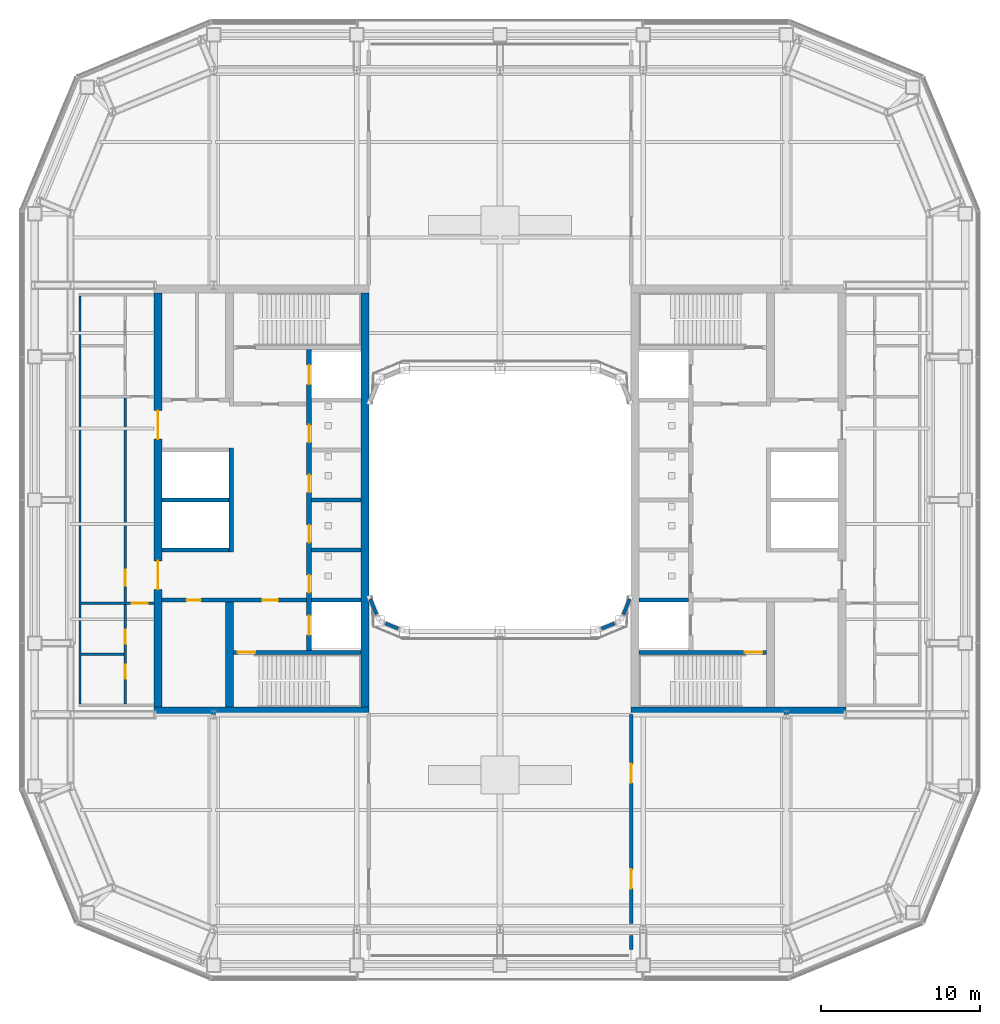
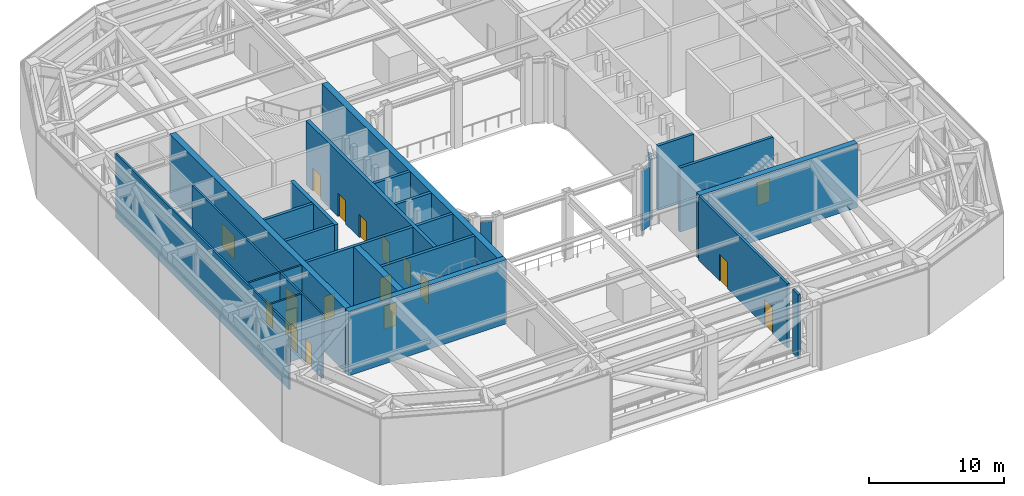
# One storey, part 11 of 22: 27 walls, 18 doors, 18 openings.
"""IFC4 building model written with IfcOpenShell, lengths in metres."""

from ifc_helpers import new_model, si_unit, direction, frame, frame_2d, origin, place, context, subcontext, project, spatial, rectangle, extrude, material, layer, layer_set, type_object, element, fill, save


model = new_model("IFC4")

# Units and contexts
model_context = context("Model", 3, precision=1e-05, world=origin(), true_north=direction((0.0, 1.0)))
body_context = subcontext(model_context, "Body", "Model", "MODEL_VIEW")
ifc_project = project(units=[si_unit("LENGTHUNIT", "METRE"), si_unit("AREAUNIT", "SQUARE_METRE"), si_unit("VOLUMEUNIT", "CUBIC_METRE"), si_unit("PLANEANGLEUNIT", "RADIAN"), si_unit("MASSUNIT", "GRAM", prefix="KILO")], contexts=[model_context])

# Site, building, storey
site_placement = place(None, origin())
site = spatial("IfcSite", under=ifc_project, at=site_placement, CompositionType="ELEMENT")
building_placement = place(site_placement, origin())
building = spatial("IfcBuilding", under=site, at=building_placement, Name="Siwar Civic Tower", CompositionType="ELEMENT")
storey_placement = place(building_placement, frame((0.0, 0.0, 181.199951171875)))
storey = spatial("IfcBuildingStorey", under=building, at=storey_placement, Name="L39", CompositionType="ELEMENT", Elevation=181.199951171875)

# Wall
ifc_material_1 = material(Name="Gypsum board on steel studs", Category="steel")
ifc_layer_1 = layer(ifc_material_1, 0.14990234375)
ifc_layer_set_1 = layer_set([ifc_layer_1], Name="Gypsum board on steel studs")
wall_type_1 = type_object("IfcWallType", Name="COMPARTMENT PARTITION 150 EI 60", PredefinedType="PARTITIONING", material=ifc_layer_set_1)
wall_1_placement = place(storey_placement, frame((-26.324951171875, -9.699951171875, 0.0), z_axis=(0.0, 0.0, 1.0), x_axis=(1.0, 0.0, 0.0)))
element("IfcWall", 1, at=wall_1_placement, inside=storey, type_object=wall_type_1, Name="L39/wall/P03", PredefinedType="PARTITIONING", context=body_context, shape_type="SweptSolid", body=[
    extrude(rectangle(XDim=2.699951171875, YDim=0.14990234375, at=frame_2d((1.35009765625, 0.0))), origin(), (0.0, 0.0, 1.0), 5.800048828125),
])

# Wall, opening, door
wall_2_placement = place(storey_placement, frame((-26.324951171875, -6.5, 0.0), z_axis=(0.0, 0.0, 1.0), x_axis=(1.0, 0.0, 0.0)))
wall_2 = element("IfcWall", 2, at=wall_2_placement, inside=storey, type_object=wall_type_1, Name="L39/wall/P05", PredefinedType="PARTITIONING", context=body_context, shape_type="SweptSolid", body=[
    extrude(rectangle(XDim=4.574951171875, YDim=0.14990234375, at=frame_2d((2.28759765625, 0.0))), origin(), (0.0, 0.0, 1.0), 5.800048828125),
])
opening_1_placement = place(wall_2_placement, frame((3.175048828125, 0.0, 0.0)))
opening_1 = element("IfcOpeningElement", 3, at=opening_1_placement, cuts=wall_2, Name="Opening D1", PredefinedType="OPENING", context=body_context, shape_type="SweptSolid", body=[
    extrude(rectangle(XDim=1.0, YDim=2.10009765625, at=frame_2d((0.5, 1.050048828125))), frame((0.0, 0.0849609375, 0.0), z_axis=(0.0, -1.0, 0.0), x_axis=(1.0, 0.0, 0.0)), (0.0, 0.0, 1.0), 0.169921875),
])
ifc_material_2 = material(Name="Timber, painted", Category="wood")
door_type_1 = type_object("IfcDoorType", Name="DOOR 1000 X 2100 FD30", OperationType="SINGLE_SWING_LEFT", PredefinedType="DOOR", material=ifc_material_2)
door_1_placement = place(opening_1_placement, origin())
door_1 = element("IfcDoor", 4, at=door_1_placement, inside=storey, type_object=door_type_1, Name="L39-D09", OperationType="SINGLE_SWING_LEFT", OverallHeight=2.10009765625, OverallWidth=1.0, PredefinedType="DOOR", context=body_context, shape_type="SweptSolid", body=[
    extrude(rectangle(XDim=1.0, YDim=2.10009765625, at=frame_2d((0.5, 1.050048828125))), frame((0.0, 0.02490234375, 0.0), z_axis=(0.0, -1.0, 0.0), x_axis=(1.0, 0.0, 0.0)), (0.0, 0.0, 1.0), 0.050048828125),
])
fill(opening_1, door_1)

# Wall
wall_3_placement = place(storey_placement, frame((-26.39990234375, -12.824951171875, 0.0), z_axis=(0.0, 0.0, 1.0), x_axis=(0.0, 1.0, 0.0)))
element("IfcWall", 5, at=wall_3_placement, inside=storey, type_object=wall_type_1, Name="L39/wall/P13", PredefinedType="PARTITIONING", context=body_context, shape_type="SweptSolid", body=[
    extrude(rectangle(XDim=25.64990234375, YDim=0.14990234375, at=frame_2d((12.824951171875, 0.0))), origin(), (0.0, 0.0, 1.0), 5.800048828125),
])

# Wall, openings, doors
wall_4_placement = place(storey_placement, frame((-23.550048828125, -12.824951171875, 0.0), z_axis=(0.0, 0.0, 1.0), x_axis=(0.0, 1.0, 0.0)))
wall_4 = element("IfcWall", 6, at=wall_4_placement, inside=storey, type_object=wall_type_1, Name="L39/wall/P14", PredefinedType="PARTITIONING", context=body_context, shape_type="SweptSolid", body=[
    extrude(rectangle(XDim=6.25, YDim=0.14990234375, at=frame_2d((3.125, 0.0))), origin(), (0.0, 0.0, 1.0), 5.800048828125),
])
opening_2_placement = place(wall_4_placement, frame((1.574951171875, 0.0, 0.0)))
opening_2 = element("IfcOpeningElement", 7, at=opening_2_placement, cuts=wall_4, Name="Opening D4", PredefinedType="OPENING", context=body_context, shape_type="SweptSolid", body=[
    extrude(rectangle(XDim=0.89990234375, YDim=2.10009765625, at=frame_2d((0.449951171875, 1.050048828125))), frame((0.0, 0.0849609375, 0.0), z_axis=(0.0, -1.0, 0.0), x_axis=(1.0, 0.0, 0.0)), (0.0, 0.0, 1.0), 0.169921875),
])
opening_3_placement = place(wall_4_placement, frame((3.77490234375, 0.0, 0.0)))
opening_3 = element("IfcOpeningElement", 8, at=opening_3_placement, cuts=wall_4, Name="Opening D4", PredefinedType="OPENING", context=body_context, shape_type="SweptSolid", body=[
    extrude(rectangle(XDim=0.89990234375, YDim=2.10009765625, at=frame_2d((0.449951171875, 1.050048828125))), frame((0.0, 0.0849609375, 0.0), z_axis=(0.0, -1.0, 0.0), x_axis=(1.0, 0.0, 0.0)), (0.0, 0.0, 1.0), 0.169921875),
])
ifc_material_3 = material(Name="Timber, painted", Category="wood")
door_type_2 = type_object("IfcDoorType", Name="DOOR 900 X 2100 FD60", OperationType="SINGLE_SWING_LEFT", PredefinedType="DOOR", material=ifc_material_3)
door_2_placement = place(opening_2_placement, origin())
door_2 = element("IfcDoor", 9, at=door_2_placement, inside=storey, type_object=door_type_2, Name="L39-D13", OperationType="SINGLE_SWING_LEFT", OverallHeight=2.10009765625, OverallWidth=0.89990234375, PredefinedType="DOOR", context=body_context, shape_type="SweptSolid", body=[
    extrude(rectangle(XDim=0.89990234375, YDim=2.10009765625, at=frame_2d((0.449951171875, 1.050048828125))), frame((0.0, 0.02490234375, 0.0), z_axis=(0.0, -1.0, 0.0), x_axis=(1.0, 0.0, 0.0)), (0.0, 0.0, 1.0), 0.050048828125),
])
fill(opening_2, door_2)
door_3_placement = place(opening_3_placement, origin())
door_3 = element("IfcDoor", 10, at=door_3_placement, inside=storey, type_object=door_type_2, Name="L39-D14", OperationType="SINGLE_SWING_RIGHT", OverallHeight=2.10009765625, OverallWidth=0.89990234375, PredefinedType="DOOR", context=body_context, shape_type="SweptSolid", body=[
    extrude(rectangle(XDim=0.89990234375, YDim=2.10009765625, at=frame_2d((0.449951171875, 1.050048828125))), frame((0.0, 0.02490234375, 0.0), z_axis=(0.0, -1.0, 0.0), x_axis=(1.0, 0.0, 0.0)), (0.0, 0.0, 1.0), 0.050048828125),
])
fill(opening_3, door_3)

# Wall, opening, door
wall_5_placement = place(storey_placement, frame((-23.550048828125, -6.425048828125, 0.0), z_axis=(0.0, 0.0, 1.0), x_axis=(0.0, 1.0, 0.0)))
wall_5 = element("IfcWall", 11, at=wall_5_placement, inside=storey, type_object=wall_type_1, Name="L39/wall/P15", PredefinedType="PARTITIONING", context=body_context, shape_type="SweptSolid", body=[
    extrude(rectangle(XDim=12.85009765625, YDim=0.14990234375, at=frame_2d((6.425048828125, 0.0))), origin(), (0.0, 0.0, 1.0), 5.800048828125),
])
opening_4_placement = place(wall_5_placement, frame((1.02490234375, 0.0, 0.0)))
opening_4 = element("IfcOpeningElement", 12, at=opening_4_placement, cuts=wall_5, Name="Opening D1", PredefinedType="OPENING", context=body_context, shape_type="SweptSolid", body=[
    extrude(rectangle(XDim=1.0, YDim=2.10009765625, at=frame_2d((0.5, 1.050048828125))), frame((0.0, 0.0849609375, 0.0), z_axis=(0.0, -1.0, 0.0), x_axis=(1.0, 0.0, 0.0)), (0.0, 0.0, 1.0), 0.169921875),
])
door_4_placement = place(opening_4_placement, origin())
door_4 = element("IfcDoor", 13, at=door_4_placement, inside=storey, type_object=door_type_1, Name="L39-D10", OperationType="SINGLE_SWING_RIGHT", OverallHeight=2.10009765625, OverallWidth=1.0, PredefinedType="DOOR", context=body_context, shape_type="SweptSolid", body=[
    extrude(rectangle(XDim=1.0, YDim=2.10009765625, at=frame_2d((0.5, 1.050048828125))), frame((0.0, 0.02490234375, 0.0), z_axis=(0.0, -1.0, 0.0), x_axis=(1.0, 0.0, 0.0)), (0.0, 0.0, 1.0), 0.050048828125),
])
fill(opening_4, door_4)

# Wall, openings, doors
ifc_material_4 = material(Name="Concrete C60/75", Category="concrete")
ifc_layer_2 = layer(ifc_material_4, 0.25)
ifc_layer_set_2 = layer_set([ifc_layer_2], Name="Concrete C60/75")
wall_type_2 = type_object("IfcWallType", Name="CORE-WALL-RC250", PredefinedType="SHEAR", material=ifc_layer_set_2)
wall_6_placement = place(storey_placement, frame((-12.14990234375, -6.300048828125, 0.0), z_axis=(0.0, 0.0, 1.0), x_axis=(-1.0, 0.0, 0.0)))
wall_6 = element("IfcWall", 14, at=wall_6_placement, inside=storey, type_object=wall_type_2, Name="Core wall W", PredefinedType="SHEAR", context=body_context, shape_type="SweptSolid", body=[
    extrude(rectangle(XDim=9.10009765625, YDim=0.25, at=frame_2d((4.550048828125, 0.0))), origin(), (0.0, 0.0, 1.0), 5.800048828125),
])
opening_5_placement = place(wall_6_placement, frame((1.800048828125, 0.0, 0.0)))
opening_5 = element("IfcOpeningElement", 15, at=opening_5_placement, cuts=wall_6, Name="Opening L39-CW02", PredefinedType="OPENING", context=body_context, shape_type="SweptSolid", body=[
    extrude(rectangle(XDim=1.0, YDim=2.10009765625, at=frame_2d((0.5, 1.050048828125))), frame((0.0, 0.135009765625, 0.0), z_axis=(0.0, -1.0, 0.0), x_axis=(1.0, 0.0, 0.0)), (0.0, 0.0, 1.0), 0.27001953125),
])
opening_6_placement = place(wall_6_placement, frame((6.64990234375, 0.0, 0.0)))
opening_6 = element("IfcOpeningElement", 16, at=opening_6_placement, cuts=wall_6, Name="Opening L39-CW15", PredefinedType="OPENING", context=body_context, shape_type="SweptSolid", body=[
    extrude(rectangle(XDim=0.89990234375, YDim=2.10009765625, at=frame_2d((0.449951171875, 1.050048828125))), frame((0.0, 0.135009765625, 0.0), z_axis=(0.0, -1.0, 0.0), x_axis=(1.0, 0.0, 0.0)), (0.0, 0.0, 1.0), 0.27001953125),
])
ifc_material_5 = material(Name="Steel door leaf", Category="steel")
door_type_3 = type_object("IfcDoorType", Name="CORE-DOOR-FD30S", OperationType="SINGLE_SWING_LEFT", PredefinedType="DOOR", material=ifc_material_5)
door_5_placement = place(opening_5_placement, origin())
door_5 = element("IfcDoor", 17, at=door_5_placement, inside=storey, type_object=door_type_3, Name="Service lobby door L39-CW02", OperationType="SINGLE_SWING_RIGHT", OverallHeight=2.10009765625, OverallWidth=1.0, PredefinedType="DOOR", context=body_context, shape_type="SweptSolid", body=[
    extrude(rectangle(XDim=1.0, YDim=2.10009765625, at=frame_2d((0.5, 1.050048828125))), frame((0.0, 0.02490234375, 0.0), z_axis=(0.0, -1.0, 0.0), x_axis=(1.0, 0.0, 0.0)), (0.0, 0.0, 1.0), 0.050048828125),
])
fill(opening_5, door_5)
ifc_material_6 = material(Name="Steel door leaf", Category="steel")
door_type_4 = type_object("IfcDoorType", Name="CORE-DOOR-ROOM", OperationType="SINGLE_SWING_LEFT", PredefinedType="DOOR", material=ifc_material_6)
door_6_placement = place(opening_6_placement, origin())
door_6 = element("IfcDoor", 18, at=door_6_placement, inside=storey, type_object=door_type_4, Name="Core room door L39-CW15", OperationType="SINGLE_SWING_RIGHT", OverallHeight=2.10009765625, OverallWidth=0.89990234375, PredefinedType="DOOR", context=body_context, shape_type="SweptSolid", body=[
    extrude(rectangle(XDim=0.89990234375, YDim=2.10009765625, at=frame_2d((0.449951171875, 1.050048828125))), frame((0.0, 0.02490234375, 0.0), z_axis=(0.0, -1.0, 0.0), x_axis=(1.0, 0.0, 0.0)), (0.0, 0.0, 1.0), 0.050048828125),
])
fill(opening_6, door_6)

# Walls
for number, where, z_axis, x_axis, name in (
    (19, (-17.050048828125, 0.0, 0.0), (0.0, 0.0, 1.0), (-1.0, 0.0, 0.0), "Core wall W"),
    (20, (-17.050048828125, -3.14990234375, 0.0), (0.0, 0.0, 1.0), (-1.0, 0.0, 0.0), "Core wall W"),
):
    element("IfcWall", number, at=place(storey_placement, frame(where, z_axis=z_axis, x_axis=x_axis)), inside=storey, type_object=wall_type_2, Name=name, PredefinedType="SHEAR", context=body_context, shape_type="SweptSolid", body=[
        extrude(rectangle(XDim=4.199951171875, YDim=0.25, at=frame_2d((2.10009765625, 0.0))), origin(), (0.0, 0.0, 1.0), 5.800048828125),
    ])
for number, where, z_axis, x_axis, name in (
    (21, (-8.75, 0.0, 0.0), (0.0, 0.0, 1.0), (-1.0, 0.0, 0.0), "Core wall W"),
    (22, (-8.75, -3.14990234375, 0.0), (0.0, 0.0, 1.0), (-1.0, 0.0, 0.0), "Core wall W"),
    (23, (-8.75, -6.300048828125, 0.0), (0.0, 0.0, 1.0), (-1.0, 0.0, 0.0), "Core wall W"),
):
    element("IfcWall", number, at=place(storey_placement, frame(where, z_axis=z_axis, x_axis=x_axis)), inside=storey, type_object=wall_type_2, Name=name, PredefinedType="SHEAR", context=body_context, shape_type="SweptSolid", body=[
        extrude(rectangle(XDim=3.10009765625, YDim=0.25, at=frame_2d((1.550048828125, 0.0))), origin(), (0.0, 0.0, 1.0), 5.800048828125),
    ])

# Wall, opening, door
wall_7_placement = place(storey_placement, frame((-8.75, -9.574951171875, 0.0), z_axis=(0.0, 0.0, 1.0), x_axis=(-1.0, 0.0, 0.0)))
wall_7 = element("IfcWall", 24, at=wall_7_placement, inside=storey, type_object=wall_type_2, Name="Core wall W", PredefinedType="SHEAR", context=body_context, shape_type="SweptSolid", body=[
    extrude(rectangle(XDim=8.0, YDim=0.25, at=frame_2d((4.0, 0.0))), origin(), (0.0, 0.0, 1.0), 5.800048828125),
])
opening_7_placement = place(wall_7_placement, frame((6.64990234375, 0.0, 0.0)))
opening_7 = element("IfcOpeningElement", 25, at=opening_7_placement, cuts=wall_7, Name="Opening L39-CW04", PredefinedType="OPENING", context=body_context, shape_type="SweptSolid", body=[
    extrude(rectangle(XDim=1.10009765625, YDim=2.10009765625, at=frame_2d((0.550048828125, 1.050048828125))), frame((0.0, 0.135009765625, 0.0), z_axis=(0.0, -1.0, 0.0), x_axis=(1.0, 0.0, 0.0)), (0.0, 0.0, 1.0), 0.27001953125),
])
ifc_material_7 = material(Name="Steel door leaf", Category="steel")
door_type_5 = type_object("IfcDoorType", Name="CORE-DOOR-FD60S", OperationType="SINGLE_SWING_LEFT", PredefinedType="DOOR", material=ifc_material_7)
door_7_placement = place(opening_7_placement, origin())
door_7 = element("IfcDoor", 26, at=door_7_placement, inside=storey, type_object=door_type_5, Name="Stair door L39-CW04", OperationType="SINGLE_SWING_LEFT", OverallHeight=2.10009765625, OverallWidth=1.10009765625, PredefinedType="DOOR", context=body_context, shape_type="SweptSolid", body=[
    extrude(rectangle(XDim=1.10009765625, YDim=2.10009765625, at=frame_2d((0.550048828125, 1.050048828125))), frame((0.0, 0.02490234375, 0.0), z_axis=(0.0, -1.0, 0.0), x_axis=(1.0, 0.0, 0.0)), (0.0, 0.0, 1.0), 0.050048828125),
])
fill(opening_7, door_7)

# Wall
wall_8_placement = place(storey_placement, frame((8.75, -6.300048828125, 0.0), z_axis=(0.0, 0.0, 1.0), x_axis=(1.0, 0.0, 0.0)))
element("IfcWall", 27, at=wall_8_placement, inside=storey, type_object=wall_type_2, Name="Core wall E", PredefinedType="SHEAR", context=body_context, shape_type="SweptSolid", body=[
    extrude(rectangle(XDim=3.10009765625, YDim=0.25, at=frame_2d((1.550048828125, 0.0))), origin(), (0.0, 0.0, 1.0), 5.800048828125),
])

# Wall, opening, door
wall_9_placement = place(storey_placement, frame((8.75, -9.574951171875, 0.0), z_axis=(0.0, 0.0, 1.0), x_axis=(1.0, 0.0, 0.0)))
wall_9 = element("IfcWall", 28, at=wall_9_placement, inside=storey, type_object=wall_type_2, Name="Core wall E", PredefinedType="SHEAR", context=body_context, shape_type="SweptSolid", body=[
    extrude(rectangle(XDim=8.0, YDim=0.25, at=frame_2d((4.0, 0.0))), origin(), (0.0, 0.0, 1.0), 5.800048828125),
])
opening_8_placement = place(wall_9_placement, frame((6.64990234375, 0.0, 0.0)))
opening_8 = element("IfcOpeningElement", 29, at=opening_8_placement, cuts=wall_9, Name="Opening L39-CE04", PredefinedType="OPENING", context=body_context, shape_type="SweptSolid", body=[
    extrude(rectangle(XDim=1.10009765625, YDim=2.10009765625, at=frame_2d((0.550048828125, 1.050048828125))), frame((0.0, 0.135009765625, 0.0), z_axis=(0.0, -1.0, 0.0), x_axis=(1.0, 0.0, 0.0)), (0.0, 0.0, 1.0), 0.27001953125),
])
door_8_placement = place(opening_8_placement, origin())
door_8 = element("IfcDoor", 30, at=door_8_placement, inside=storey, type_object=door_type_5, Name="Stair door L39-CE04", OperationType="SINGLE_SWING_RIGHT", OverallHeight=2.10009765625, OverallWidth=1.10009765625, PredefinedType="DOOR", context=body_context, shape_type="SweptSolid", body=[
    extrude(rectangle(XDim=1.10009765625, YDim=2.10009765625, at=frame_2d((0.550048828125, 1.050048828125))), frame((0.0, 0.02490234375, 0.0), z_axis=(0.0, -1.0, 0.0), x_axis=(1.0, 0.0, 0.0)), (0.0, 0.0, 1.0), 0.050048828125),
])
fill(opening_8, door_8)

# Wall, openings, doors
ifc_material_8 = material(Name="Concrete C60/75", Category="concrete")
ifc_layer_3 = layer(ifc_material_8, 0.300048828125)
ifc_layer_set_3 = layer_set([ifc_layer_3], Name="Concrete C60/75")
wall_type_3 = type_object("IfcWallType", Name="CORE-WALL-RC300", PredefinedType="SHEAR", material=ifc_layer_set_3)
wall_10_placement = place(storey_placement, frame((-12.0, -9.449951171875, 0.0), z_axis=(0.0, 0.0, 1.0), x_axis=(0.0, 1.0, 0.0)))
wall_10 = element("IfcWall", 31, at=wall_10_placement, inside=storey, type_object=wall_type_3, Name="Core wall W", PredefinedType="SHEAR", context=body_context, shape_type="SweptSolid", body=[
    extrude(rectangle(XDim=18.89990234375, YDim=0.300048828125, at=frame_2d((9.449951171875, 0.0))), origin(), (0.0, 0.0, 1.0), 5.800048828125),
])
opening_9_placement = place(wall_10_placement, frame((3.625, 0.0, 0.0)))
opening_9 = element("IfcOpeningElement", 32, at=opening_9_placement, cuts=wall_10, Name="Opening L39-CW07", PredefinedType="OPENING", context=body_context, shape_type="SweptSolid", body=[
    extrude(rectangle(XDim=1.10009765625, YDim=2.10009765625, at=frame_2d((0.550048828125, 1.050048828125))), frame((0.0, 0.16015625, 0.0), z_axis=(0.0, -1.0, 0.0), x_axis=(1.0, 0.0, 0.0)), (0.0, 0.0, 1.0), 0.320068359375),
])
opening_10_placement = place(wall_10_placement, frame((6.77490234375, 0.0, 0.0)))
opening_10 = element("IfcOpeningElement", 33, at=opening_10_placement, cuts=wall_10, Name="Opening L39-CW08", PredefinedType="OPENING", context=body_context, shape_type="SweptSolid", body=[
    extrude(rectangle(XDim=1.10009765625, YDim=2.10009765625, at=frame_2d((0.550048828125, 1.050048828125))), frame((0.0, 0.16015625, 0.0), z_axis=(0.0, -1.0, 0.0), x_axis=(1.0, 0.0, 0.0)), (0.0, 0.0, 1.0), 0.320068359375),
])
opening_11_placement = place(wall_10_placement, frame((9.925048828125, 0.0, 0.0)))
opening_11 = element("IfcOpeningElement", 34, at=opening_11_placement, cuts=wall_10, Name="Opening L39-CW09", PredefinedType="OPENING", context=body_context, shape_type="SweptSolid", body=[
    extrude(rectangle(XDim=1.10009765625, YDim=2.10009765625, at=frame_2d((0.550048828125, 1.050048828125))), frame((0.0, 0.16015625, 0.0), z_axis=(0.0, -1.0, 0.0), x_axis=(1.0, 0.0, 0.0)), (0.0, 0.0, 1.0), 0.320068359375),
])
opening_12_placement = place(wall_10_placement, frame((13.074951171875, 0.0, 0.0)))
opening_12 = element("IfcOpeningElement", 35, at=opening_12_placement, cuts=wall_10, Name="Opening L39-CW10", PredefinedType="OPENING", context=body_context, shape_type="SweptSolid", body=[
    extrude(rectangle(XDim=1.10009765625, YDim=2.10009765625, at=frame_2d((0.550048828125, 1.050048828125))), frame((0.0, 0.16015625, 0.0), z_axis=(0.0, -1.0, 0.0), x_axis=(1.0, 0.0, 0.0)), (0.0, 0.0, 1.0), 0.320068359375),
])
opening_13_placement = place(wall_10_placement, frame((16.72509765625, 0.0, 0.0)))
opening_13 = element("IfcOpeningElement", 36, at=opening_13_placement, cuts=wall_10, Name="Opening L39-CW11", PredefinedType="OPENING", context=body_context, shape_type="SweptSolid", body=[
    extrude(rectangle(XDim=1.199951171875, YDim=2.10009765625, at=frame_2d((0.60009765625, 1.050048828125))), frame((0.0, 0.16015625, 0.0), z_axis=(0.0, -1.0, 0.0), x_axis=(1.0, 0.0, 0.0)), (0.0, 0.0, 1.0), 0.320068359375),
])
opening_14_placement = place(wall_10_placement, frame((0.97509765625, 0.0, 0.0)))
opening_14 = element("IfcOpeningElement", 37, at=opening_14_placement, cuts=wall_10, Name="Opening L39-CW12", PredefinedType="OPENING", context=body_context, shape_type="SweptSolid", body=[
    extrude(rectangle(XDim=1.199951171875, YDim=2.10009765625, at=frame_2d((0.60009765625, 1.050048828125))), frame((0.0, 0.16015625, 0.0), z_axis=(0.0, -1.0, 0.0), x_axis=(1.0, 0.0, 0.0)), (0.0, 0.0, 1.0), 0.320068359375),
])
ifc_material_9 = material(Name="Steel door leaf", Category="steel")
door_type_6 = type_object("IfcDoorType", Name="CORE-DOOR-LD", OperationType="DOUBLE_DOOR_SLIDING", PredefinedType="DOOR", material=ifc_material_9)
door_9_placement = place(opening_9_placement, origin())
door_9 = element("IfcDoor", 38, at=door_9_placement, inside=storey, type_object=door_type_6, Name="Landing door LR1 L39-CW07", OperationType="DOUBLE_DOOR_SLIDING", OverallHeight=2.10009765625, OverallWidth=1.10009765625, PredefinedType="DOOR", context=body_context, shape_type="SweptSolid", body=[
    extrude(rectangle(XDim=1.10009765625, YDim=2.10009765625, at=frame_2d((0.550048828125, 1.050048828125))), frame((0.0, 0.02490234375, 0.0), z_axis=(0.0, -1.0, 0.0), x_axis=(1.0, 0.0, 0.0)), (0.0, 0.0, 1.0), 0.050048828125),
])
fill(opening_9, door_9)
door_10_placement = place(opening_10_placement, origin())
door_10 = element("IfcDoor", 39, at=door_10_placement, inside=storey, type_object=door_type_6, Name="Landing door LR2 L39-CW08", OperationType="DOUBLE_DOOR_SLIDING", OverallHeight=2.10009765625, OverallWidth=1.10009765625, PredefinedType="DOOR", context=body_context, shape_type="SweptSolid", body=[
    extrude(rectangle(XDim=1.10009765625, YDim=2.10009765625, at=frame_2d((0.550048828125, 1.050048828125))), frame((0.0, 0.02490234375, 0.0), z_axis=(0.0, -1.0, 0.0), x_axis=(1.0, 0.0, 0.0)), (0.0, 0.0, 1.0), 0.050048828125),
])
fill(opening_10, door_10)
door_11_placement = place(opening_11_placement, origin())
door_11 = element("IfcDoor", 40, at=door_11_placement, inside=storey, type_object=door_type_6, Name="Landing door LR3 L39-CW09", OperationType="DOUBLE_DOOR_SLIDING", OverallHeight=2.10009765625, OverallWidth=1.10009765625, PredefinedType="DOOR", context=body_context, shape_type="SweptSolid", body=[
    extrude(rectangle(XDim=1.10009765625, YDim=2.10009765625, at=frame_2d((0.550048828125, 1.050048828125))), frame((0.0, 0.02490234375, 0.0), z_axis=(0.0, -1.0, 0.0), x_axis=(1.0, 0.0, 0.0)), (0.0, 0.0, 1.0), 0.050048828125),
])
fill(opening_11, door_11)
door_12_placement = place(opening_12_placement, origin())
door_12 = element("IfcDoor", 41, at=door_12_placement, inside=storey, type_object=door_type_6, Name="Landing door LR4 L39-CW10", OperationType="DOUBLE_DOOR_SLIDING", OverallHeight=2.10009765625, OverallWidth=1.10009765625, PredefinedType="DOOR", context=body_context, shape_type="SweptSolid", body=[
    extrude(rectangle(XDim=1.10009765625, YDim=2.10009765625, at=frame_2d((0.550048828125, 1.050048828125))), frame((0.0, 0.02490234375, 0.0), z_axis=(0.0, -1.0, 0.0), x_axis=(1.0, 0.0, 0.0)), (0.0, 0.0, 1.0), 0.050048828125),
])
fill(opening_12, door_12)
ifc_material_10 = material(Name="Steel door leaf", Category="steel")
door_type_7 = type_object("IfcDoorType", Name="CORE-DOOR-LDW", OperationType="DOUBLE_DOOR_SLIDING", PredefinedType="DOOR", material=ifc_material_10)
door_13_placement = place(opening_13_placement, origin())
door_13 = element("IfcDoor", 42, at=door_13_placement, inside=storey, type_object=door_type_7, Name="Landing door FF1 L39-CW11", OperationType="DOUBLE_DOOR_SLIDING", OverallHeight=2.10009765625, OverallWidth=1.199951171875, PredefinedType="DOOR", context=body_context, shape_type="SweptSolid", body=[
    extrude(rectangle(XDim=1.199951171875, YDim=2.10009765625, at=frame_2d((0.60009765625, 1.050048828125))), frame((0.0, 0.02490234375, 0.0), z_axis=(0.0, -1.0, 0.0), x_axis=(1.0, 0.0, 0.0)), (0.0, 0.0, 1.0), 0.050048828125),
])
fill(opening_13, door_13)
door_14_placement = place(opening_14_placement, origin())
door_14 = element("IfcDoor", 43, at=door_14_placement, inside=storey, type_object=door_type_7, Name="Landing door SV1 L39-CW12", OperationType="DOUBLE_DOOR_SLIDING", OverallHeight=2.10009765625, OverallWidth=1.199951171875, PredefinedType="DOOR", context=body_context, shape_type="SweptSolid", body=[
    extrude(rectangle(XDim=1.199951171875, YDim=2.10009765625, at=frame_2d((0.60009765625, 1.050048828125))), frame((0.0, 0.02490234375, 0.0), z_axis=(0.0, -1.0, 0.0), x_axis=(1.0, 0.0, 0.0)), (0.0, 0.0, 1.0), 0.050048828125),
])
fill(opening_14, door_14)

# Wall
wall_11_placement = place(storey_placement, frame((-16.89990234375, -3.27490234375, 0.0), z_axis=(0.0, 0.0, 1.0), x_axis=(0.0, 1.0, 0.0)))
element("IfcWall", 44, at=wall_11_placement, inside=storey, type_object=wall_type_3, Name="Core wall W", PredefinedType="SHEAR", context=body_context, shape_type="SweptSolid", body=[
    extrude(rectangle(XDim=6.5498046875, YDim=0.300048828125, at=frame_2d((3.27490234375, 0.0))), origin(), (0.0, 0.0, 1.0), 5.800048828125),
])

# Wall, openings, doors
ifc_material_11 = material(Name="Concrete C60/75", Category="concrete")
ifc_layer_4 = layer(ifc_material_11, 0.5)
ifc_layer_set_4 = layer_set([ifc_layer_4], Name="Concrete C60/75")
wall_type_4 = type_object("IfcWallType", Name="CORE-WALL-RC500", PredefinedType="SHEAR", material=ifc_layer_set_4)
wall_12_placement = place(storey_placement, frame((-21.5, -13.0, 0.0), z_axis=(0.0, 0.0, 1.0), x_axis=(0.0, 1.0, 0.0)))
wall_12 = element("IfcWall", 45, at=wall_12_placement, inside=storey, type_object=wall_type_4, Name="Core wall W", PredefinedType="SHEAR", context=body_context, shape_type="SweptSolid", body=[
    extrude(rectangle(XDim=26.0, YDim=0.5, at=frame_2d((13.0, 0.0))), origin(), (0.0, 0.0, 1.0), 5.800048828125),
])
opening_15_placement = place(wall_12_placement, frame((16.824951171875, 0.0, 0.0)))
opening_15 = element("IfcOpeningElement", 46, at=opening_15_placement, cuts=wall_12, Name="Opening L39-CW05", PredefinedType="OPENING", context=body_context, shape_type="SweptSolid", body=[
    extrude(rectangle(XDim=1.800048828125, YDim=2.10009765625, at=frame_2d((0.89990234375, 1.050048828125))), frame((0.0, 0.260009765625, 0.0), z_axis=(0.0, -1.0, 0.0), x_axis=(1.0, 0.0, 0.0)), (0.0, 0.0, 1.0), 0.52001953125),
])
opening_16_placement = place(wall_12_placement, frame((7.375, 0.0, 0.0)))
opening_16 = element("IfcOpeningElement", 47, at=opening_16_placement, cuts=wall_12, Name="Opening L39-CW06", PredefinedType="OPENING", context=body_context, shape_type="SweptSolid", body=[
    extrude(rectangle(XDim=1.800048828125, YDim=2.10009765625, at=frame_2d((0.89990234375, 1.050048828125))), frame((0.0, 0.260009765625, 0.0), z_axis=(0.0, -1.0, 0.0), x_axis=(1.0, 0.0, 0.0)), (0.0, 0.0, 1.0), 0.52001953125),
])
ifc_material_12 = material(Name="Steel door leaf", Category="steel")
door_type_8 = type_object("IfcDoorType", Name="CORE-DOOR-PORT", OperationType="DOUBLE_DOOR_DOUBLE_SWING", PredefinedType="DOOR", material=ifc_material_12)
door_15_placement = place(opening_15_placement, origin())
door_15 = element("IfcDoor", 48, at=door_15_placement, inside=storey, type_object=door_type_8, Name="Core entrance door L39-CW05", OperationType="DOUBLE_DOOR_DOUBLE_SWING", OverallHeight=2.10009765625, OverallWidth=1.800048828125, PredefinedType="DOOR", context=body_context, shape_type="SweptSolid", body=[
    extrude(rectangle(XDim=1.800048828125, YDim=2.10009765625, at=frame_2d((0.89990234375, 1.050048828125))), frame((0.0, 0.02490234375, 0.0), z_axis=(0.0, -1.0, 0.0), x_axis=(1.0, 0.0, 0.0)), (0.0, 0.0, 1.0), 0.050048828125),
])
fill(opening_15, door_15)
door_16_placement = place(opening_16_placement, origin())
door_16 = element("IfcDoor", 49, at=door_16_placement, inside=storey, type_object=door_type_8, Name="Core entrance door L39-CW06", OperationType="DOUBLE_DOOR_DOUBLE_SWING", OverallHeight=2.10009765625, OverallWidth=1.800048828125, PredefinedType="DOOR", context=body_context, shape_type="SweptSolid", body=[
    extrude(rectangle(XDim=1.800048828125, YDim=2.10009765625, at=frame_2d((0.89990234375, 1.050048828125))), frame((0.0, 0.02490234375, 0.0), z_axis=(0.0, -1.0, 0.0), x_axis=(1.0, 0.0, 0.0)), (0.0, 0.0, 1.0), 0.050048828125),
])
fill(opening_16, door_16)

# Walls
wall_13_placement = place(storey_placement, frame((-17.0, -13.0, 0.0), z_axis=(0.0, 0.0, 1.0), x_axis=(0.0, 1.0, 0.0)))
element("IfcWall", 50, at=wall_13_placement, inside=storey, type_object=wall_type_4, Name="Core wall W", PredefinedType="SHEAR", context=body_context, shape_type="SweptSolid", body=[
    extrude(rectangle(XDim=6.574951171875, YDim=0.5, at=frame_2d((3.28759765625, 0.0))), origin(), (0.0, 0.0, 1.0), 5.800048828125),
])
for number, where, z_axis, x_axis, name in (
    (51, (-8.25, -13.25, 0.0), (0.0, 0.0, 1.0), (-1.0, 0.0, 0.0), "Core wall W"),
    (52, (8.25, -13.25, 0.0), (0.0, 0.0, 1.0), (1.0, 0.0, 0.0), "Core wall E"),
):
    element("IfcWall", number, at=place(storey_placement, frame(where, z_axis=z_axis, x_axis=x_axis)), inside=storey, type_object=wall_type_4, Name=name, PredefinedType="SHEAR", context=body_context, shape_type="SweptSolid", body=[
        extrude(rectangle(XDim=13.5, YDim=0.5, at=frame_2d((6.75, 0.0))), origin(), (0.0, 0.0, 1.0), 5.800048828125),
    ])
ifc_material_13 = material(Name="Concrete C60/75", Category="concrete")
ifc_layer_5 = layer(ifc_material_13, 0.5)
ifc_layer_set_5 = layer_set([ifc_layer_5], Name="Concrete C60/75")
wall_type_5 = type_object("IfcWallType", Name="CORE-WALL-RC500-EXT", PredefinedType="SHEAR", material=ifc_layer_set_5)
wall_14_placement = place(storey_placement, frame((-8.5, -13.0, 0.0), z_axis=(0.0, 0.0, 1.0), x_axis=(0.0, 1.0, 0.0)))
element("IfcWall", 53, at=wall_14_placement, inside=storey, type_object=wall_type_5, Name="Core wall W", PredefinedType="SHEAR", context=body_context, shape_type="SweptSolid", body=[
    extrude(rectangle(XDim=26.0, YDim=0.5, at=frame_2d((13.0, 0.0))), origin(), (0.0, 0.0, 1.0), 5.800048828125),
])

# Wall, openings, doors
ifc_material_14 = material(Name="Aluminium clad insulated panel", Category="aluminium")
ifc_layer_6 = layer(ifc_material_14, 0.199951171875)
ifc_layer_set_6 = layer_set([ifc_layer_6], Name="Aluminium clad insulated panel")
wall_type_6 = type_object("IfcWallType", Name="ENV-PORTAL WALL", PredefinedType="STANDARD", material=ifc_layer_set_6)
wall_15_placement = place(storey_placement, frame((8.25, -13.5, 0.0), z_axis=(0.0, 0.0, 1.0), x_axis=(0.0, -1.0, 0.0)))
wall_15 = element("IfcWall", 54, at=wall_15_placement, inside=storey, type_object=wall_type_6, Name="Sky portal closing wall SE", PredefinedType="STANDARD", context=body_context, shape_type="SweptSolid", body=[
    extrude(rectangle(XDim=13.114990234375, YDim=0.199951171875, at=frame_2d((6.5576171875, 0.0))), origin(), (0.0, 0.0, 1.0), 5.800048828125),
])
opening_17_placement = place(wall_15_placement, frame((3.08740234375, 0.0, 0.0)))
opening_17 = element("IfcOpeningElement", 55, at=opening_17_placement, cuts=wall_15, Name="Opening D-PT", PredefinedType="OPENING", context=body_context, shape_type="SweptSolid", body=[
    extrude(rectangle(XDim=1.199951171875, YDim=2.39990234375, at=frame_2d((0.60009765625, 1.199951171875))), frame((0.0, 0.10986328125, 0.0), z_axis=(0.0, -1.0, 0.0), x_axis=(1.0, 0.0, 0.0)), (0.0, 0.0, 1.0), 0.219970703125),
])
opening_18_placement = place(wall_15_placement, frame((9.72509765625, 0.0, 0.0)))
opening_18 = element("IfcOpeningElement", 56, at=opening_18_placement, cuts=wall_15, Name="Opening D-PT", PredefinedType="OPENING", context=body_context, shape_type="SweptSolid", body=[
    extrude(rectangle(XDim=1.199951171875, YDim=2.39990234375, at=frame_2d((0.60009765625, 1.199951171875))), frame((0.0, 0.10986328125, 0.0), z_axis=(0.0, -1.0, 0.0), x_axis=(1.0, 0.0, 0.0)), (0.0, 0.0, 1.0), 0.219970703125),
])
ifc_material_15 = material(Name="Aluminium and glass", Category="aluminium")
door_type_9 = type_object("IfcDoorType", Name="ENV-DOOR-PORTAL", OperationType="DOUBLE_DOOR_SINGLE_SWING", PredefinedType="DOOR", material=ifc_material_15)
door_17_placement = place(opening_17_placement, origin())
door_17 = element("IfcDoor", 57, at=door_17_placement, inside=storey, type_object=door_type_9, Name="Sky portal door SE 1", OperationType="DOUBLE_DOOR_SINGLE_SWING", OverallHeight=2.39990234375, OverallWidth=1.199951171875, PredefinedType="DOOR", context=body_context, shape_type="SweptSolid", body=[
    extrude(rectangle(XDim=1.199951171875, YDim=2.39990234375, at=frame_2d((0.60009765625, 1.199951171875))), frame((0.0, 0.02490234375, 0.0), z_axis=(0.0, -1.0, 0.0), x_axis=(1.0, 0.0, 0.0)), (0.0, 0.0, 1.0), 0.050048828125),
])
fill(opening_17, door_17)
door_18_placement = place(opening_18_placement, origin())
door_18 = element("IfcDoor", 58, at=door_18_placement, inside=storey, type_object=door_type_9, Name="Sky portal door SE 2", OperationType="DOUBLE_DOOR_SINGLE_SWING", OverallHeight=2.39990234375, OverallWidth=1.199951171875, PredefinedType="DOOR", context=body_context, shape_type="SweptSolid", body=[
    extrude(rectangle(XDim=1.199951171875, YDim=2.39990234375, at=frame_2d((0.60009765625, 1.199951171875))), frame((0.0, 0.02490234375, 0.0), z_axis=(0.0, -1.0, 0.0), x_axis=(1.0, 0.0, 0.0)), (0.0, 0.0, 1.0), 0.050048828125),
])
fill(opening_18, door_18)

# Walls
wall_16_placement = place(storey_placement, frame((8.25, -27.385009765625, 0.0), z_axis=(0.0, 0.0, 1.0), x_axis=(0.0, -1.0, 0.0)))
element("IfcWall", 59, at=wall_16_placement, inside=storey, type_object=wall_type_6, Name="Sky portal closing wall SE", PredefinedType="STANDARD", context=body_context, shape_type="SweptSolid", body=[
    extrude(rectangle(XDim=0.864990234375, YDim=0.199951171875, at=frame_2d((0.4326171875, 0.0))), origin(), (0.0, 0.0, 1.0), 5.800048828125),
])
ifc_material_16 = material(Name="Aluminium clad insulated panel", Category="aluminium")
ifc_layer_7 = layer(ifc_material_16, 0.199951171875)
ifc_layer_set_7 = layer_set([ifc_layer_7], Name="Aluminium clad insulated panel")
wall_type_7 = type_object("IfcWallType", Name="ENV-WALL-WELL", PredefinedType="STANDARD", material=ifc_layer_set_7)
wall_17_placement = place(storey_placement, frame((6.392333984375, -8.08740234375, 0.0), z_axis=(0.0, 0.0, 1.0), x_axis=(0.923894108428, 0.382648241093, 0.0)))
element("IfcWall", 60, at=wall_17_placement, inside=storey, type_object=wall_type_7, Name="Light well corner wall SE1", PredefinedType="STANDARD", context=body_context, shape_type="SweptSolid", body=[
    extrude(rectangle(XDim=0.872802734375, YDim=0.199951171875, at=frame_2d((0.4365234375, 0.0))), origin(), (0.0, 0.0, 1.0), 5.3681640625),
])
for number, where, z_axis, x_axis, name in (
    (61, (7.75341796875, -7.19873046875, 0.0), (0.0, 0.0, 1.0), (0.382694858887, 0.923874799408, 0.0), "Light well corner wall SE2"),
    (62, (-8.154296875, -6.23095703125, 0.0), (0.0, 0.0, 1.0), (0.382694858887, -0.923874799408, 0.0), "Light well corner wall SW1"),
):
    element("IfcWall", number, at=place(storey_placement, frame(where, z_axis=z_axis, x_axis=x_axis)), inside=storey, type_object=wall_type_7, Name=name, PredefinedType="STANDARD", context=body_context, shape_type="SweptSolid", body=[
        extrude(rectangle(XDim=1.047607421875, YDim=0.199951171875, at=frame_2d((0.52392578125, 0.0))), origin(), (0.0, 0.0, 1.0), 5.3681640625),
    ])
wall_18_placement = place(storey_placement, frame((-7.19873046875, -7.75341796875, 0.0), z_axis=(0.0, 0.0, 1.0), x_axis=(0.923894108428, -0.382648241093, 0.0)))
element("IfcWall", 63, at=wall_18_placement, inside=storey, type_object=wall_type_7, Name="Light well corner wall SW2", PredefinedType="STANDARD", context=body_context, shape_type="SweptSolid", body=[
    extrude(rectangle(XDim=0.872802734375, YDim=0.199951171875, at=frame_2d((0.4365234375, 0.0))), origin(), (0.0, 0.0, 1.0), 5.3681640625),
])

save(model, "model.ifc")
